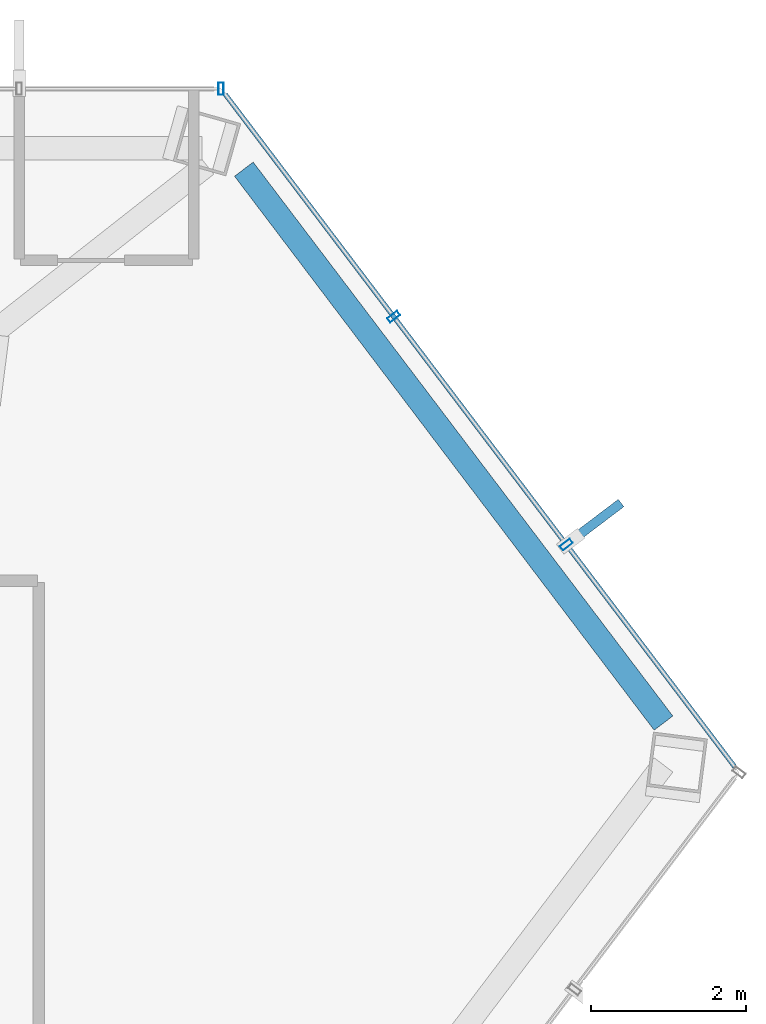
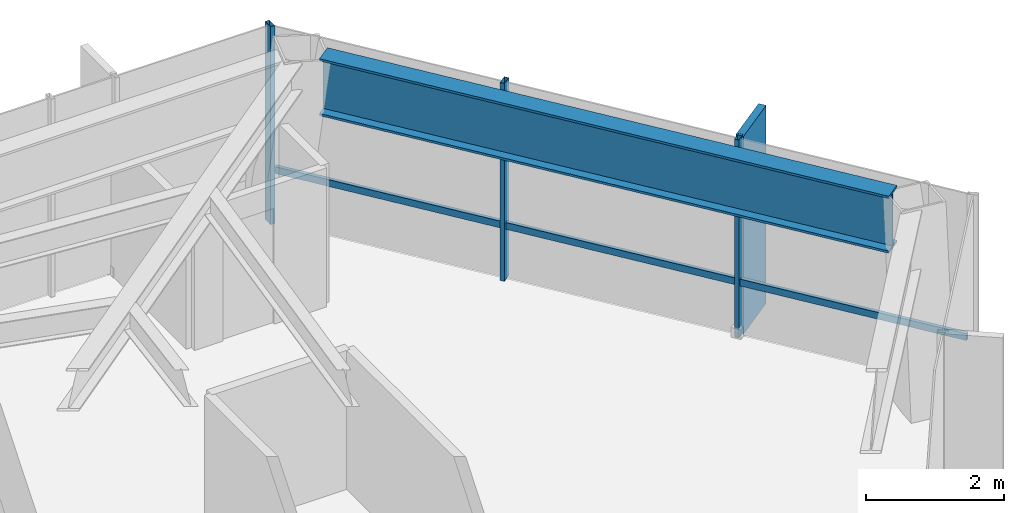
# One storey, part 22 of 27: 5 members, 1 beam, 2 elements without a shape of their own.
"""IFC4 building model written with IfcOpenShell, lengths in metres."""

from ifc_helpers import new_model, si_unit, direction, frame, origin, origin_2d, place, context, subcontext, project, spatial, rectangle, hollow_rectangle, i_section, extrude, material, layer, layer_set, material_profile, profile_set, type_object, element, aggregate, save


model = new_model("IFC4")

# Units and contexts
model_context = context("Model", 3, precision=1e-05, world=origin(), true_north=direction((0.0, 1.0)))
body_context = subcontext(model_context, "Body", "Model", "MODEL_VIEW")
ifc_project = project(units=[si_unit("LENGTHUNIT", "METRE"), si_unit("AREAUNIT", "SQUARE_METRE"), si_unit("VOLUMEUNIT", "CUBIC_METRE"), si_unit("PLANEANGLEUNIT", "RADIAN"), si_unit("MASSUNIT", "GRAM", prefix="KILO")], contexts=[model_context])

# Site, building, storey
site_placement = place(None, origin())
site = spatial("IfcSite", under=ifc_project, at=site_placement, CompositionType="ELEMENT")
building_placement = place(site_placement, origin())
building = spatial("IfcBuilding", under=site, at=building_placement, Name="Zarrinselat Tower", CompositionType="ELEMENT")
storey_placement = place(building_placement, frame((0.0, 0.0, 172.0400390625)))
storey = spatial("IfcBuildingStorey", under=building, at=storey_placement, Name="L42", CompositionType="ELEMENT", Elevation=172.0400390625)

# Beam
ifc_material_1 = material(Name="Steel S460M", Category="steel")
ifc_material_profile_1 = material_profile(ifc_material_1, i_section(OverallWidth=0.302001953125, OverallDepth=1.008056640625, WebThickness=0.02099609375, FlangeThickness=0.0400390625, at=origin_2d()), Name="HEM 1000")
ifc_profile_set_1 = profile_set([ifc_material_profile_1], Name="Steel S460M")
beam_type = type_object("IfcBeamType", Name="BM-HEM1000", PredefinedType="BEAM", material=ifc_profile_set_1)
beam_placement = place(storey_placement, frame((56.639892578125, 47.802734375, 2.995849609375), z_axis=(0.603859788678, -0.797090556724, 0.0), x_axis=(0.797090556724, 0.603859788678, 0.0)))
element("IfcBeam", 1, at=beam_placement, inside=storey, type_object=beam_type, Name="L42 Perimeter Spandrel Girder SP15", PredefinedType="BEAM", context=body_context, shape_type="SweptSolid", body=[
    extrude(i_section(OverallWidth=0.302001953125, OverallDepth=1.008056640625, WebThickness=0.02099609375, FlangeThickness=0.0400390625, at=origin_2d()), origin(), (0.0, 0.0, 1.0), 8.950439453125),
])

# Curtain wall, member
ifc_material_2 = material(Name="Extruded Aluminium Alloy EN AW-6063 T6", Category="aluminium")
ifc_layer = layer(ifc_material_2, 0.175048828125)
ifc_layer_set = layer_set([ifc_layer], Name="Extruded Aluminium Alloy EN AW-6063 T6")
curtain_wall_type = type_object("IfcCurtainWallType", Name="CWS-HTL", PredefinedType="NOTDEFINED", material=ifc_layer_set)
curtain_wall_1_placement = place(storey_placement, origin())
curtain_wall_1 = element("IfcCurtainWall", 2, at=curtain_wall_1_placement, inside=storey, type_object=curtain_wall_type, Name="L42 Unitised Curtain Wall CW-L42-E01", PredefinedType="NOTDEFINED")
ifc_material_3 = material(Name="Extruded Aluminium Alloy EN AW-6063 T6", Category="aluminium")
ifc_material_profile_2 = material_profile(ifc_material_3, hollow_rectangle(XDim=0.070068359375, YDim=0.159912109375, WallThickness=0.00390625, at=origin_2d()), Name="RHS 160x70x4")
ifc_profile_set_2 = profile_set([ifc_material_profile_2], Name="Extruded Aluminium Alloy EN AW-6063 T6")
member_type_1 = type_object("IfcMemberType", Name="MEM-CW-MUL2", PredefinedType="MULLION", material=ifc_profile_set_2)
member_1_placement = place(storey_placement, frame((56.3466796875, 48.8388671875, 0.0), z_axis=(0.0, 0.0, 1.0), x_axis=(-1.0, 0.0, 0.0)))
member_1 = element("IfcMember", 3, at=member_1_placement, type_object=member_type_1, Name="CW-L42-E01 Mullion 0", PredefinedType="MULLION", context=body_context, shape_type="SweptSolid", body=[
    extrude(hollow_rectangle(XDim=0.070068359375, YDim=0.159912109375, WallThickness=0.00390625, at=origin_2d()), origin(), (0.0, 0.0, 1.0), 3.5),
])
aggregate(curtain_wall_1, [member_1])

# Curtain wall, members
curtain_wall_2_placement = place(storey_placement, origin())
curtain_wall_2 = element("IfcCurtainWall", 4, at=curtain_wall_2_placement, inside=storey, type_object=curtain_wall_type, Name="L42 Unitised Curtain Wall CW-L42-E06", PredefinedType="NOTDEFINED")
member_2_placement = place(storey_placement, frame((60.793701171875, 42.96875, 0.0), z_axis=(0.0, 0.0, 1.0), x_axis=(-0.603857339419, 0.797092412227, 0.0)))
member_2 = element("IfcMember", 5, at=member_2_placement, type_object=member_type_1, Name="CW-L42-E06 Mullion 1", PredefinedType="MULLION", context=body_context, shape_type="SweptSolid", body=[
    extrude(hollow_rectangle(XDim=0.070068359375, YDim=0.159912109375, WallThickness=0.00390625, at=origin_2d()), origin(), (0.0, 0.0, 1.0), 3.5),
])
member_3_placement = place(storey_placement, frame((58.5703125, 45.90380859375, 0.0), z_axis=(0.0, 0.0, 1.0), x_axis=(-0.603857339419, 0.797092412227, 0.0)))
member_3 = element("IfcMember", 6, at=member_3_placement, type_object=member_type_1, Name="CW-L42-E06 Mullion 2", PredefinedType="MULLION", context=body_context, shape_type="SweptSolid", body=[
    extrude(hollow_rectangle(XDim=0.070068359375, YDim=0.159912109375, WallThickness=0.00390625, at=origin_2d()), origin(), (0.0, 0.0, 1.0), 3.5),
])
ifc_material_4 = material(Name="Extruded Aluminium Alloy EN AW-6063 T6", Category="aluminium")
ifc_material_profile_3 = material_profile(ifc_material_4, hollow_rectangle(XDim=0.06005859375, YDim=0.1201171875, WallThickness=0.00390625, at=origin_2d()), Name="RHS 120x60x4")
ifc_profile_set_3 = profile_set([ifc_material_profile_3], Name="Extruded Aluminium Alloy EN AW-6063 T6")
member_type_2 = type_object("IfcMemberType", Name="MEM-CW-TRN2", PredefinedType="USERDEFINED", material=ifc_profile_set_3)
member_4_placement = place(storey_placement, frame((62.962890625, 40.10546875, 0.949951171875), z_axis=(-0.603868069429, 0.797084283325, 0.0), x_axis=(-0.797084283325, -0.603868069429, 0.0)))
member_4 = element("IfcMember", 7, at=member_4_placement, type_object=member_type_2, Name="CW-L42-E06 Transom 1", ObjectType="TRANSOM", PredefinedType="USERDEFINED", context=body_context, shape_type="SweptSolid", body=[
    extrude(hollow_rectangle(XDim=0.06005859375, YDim=0.1201171875, WallThickness=0.00390625, at=origin_2d()), origin(), (0.0, 0.0, 1.0), 10.86669921875),
])
ifc_material_5 = material(Name="Honed Cream Travertine Stone", Category="masonry")
ifc_material_profile_4 = material_profile(ifc_material_5, rectangle(XDim=0.1201171875, YDim=0.85009765625, at=origin_2d()), Name="FIN 850x120")
ifc_profile_set_4 = profile_set([ifc_material_profile_4], Name="Honed Cream Travertine Stone")
member_type_3 = type_object("IfcMemberType", Name="MEM-STONE-FIN", PredefinedType="USERDEFINED", material=ifc_profile_set_4)
member_5_placement = place(storey_placement, frame((61.160400390625, 43.24658203125, 0.0), z_axis=(0.0, 0.0, 1.0), x_axis=(0.603857339419, -0.797092412227, 0.0)))
member_5 = element("IfcMember", 8, at=member_5_placement, type_object=member_type_3, Name="L42 Stone Shading Fin CW-L42-E06-01", ObjectType="FIN", PredefinedType="USERDEFINED", context=body_context, shape_type="SweptSolid", body=[
    extrude(rectangle(XDim=0.1201171875, YDim=0.85009765625, at=origin_2d()), origin(), (0.0, 0.0, 1.0), 3.5),
])
aggregate(curtain_wall_2, [member_2, member_5, member_3, member_4])

save(model, "model.ifc")
